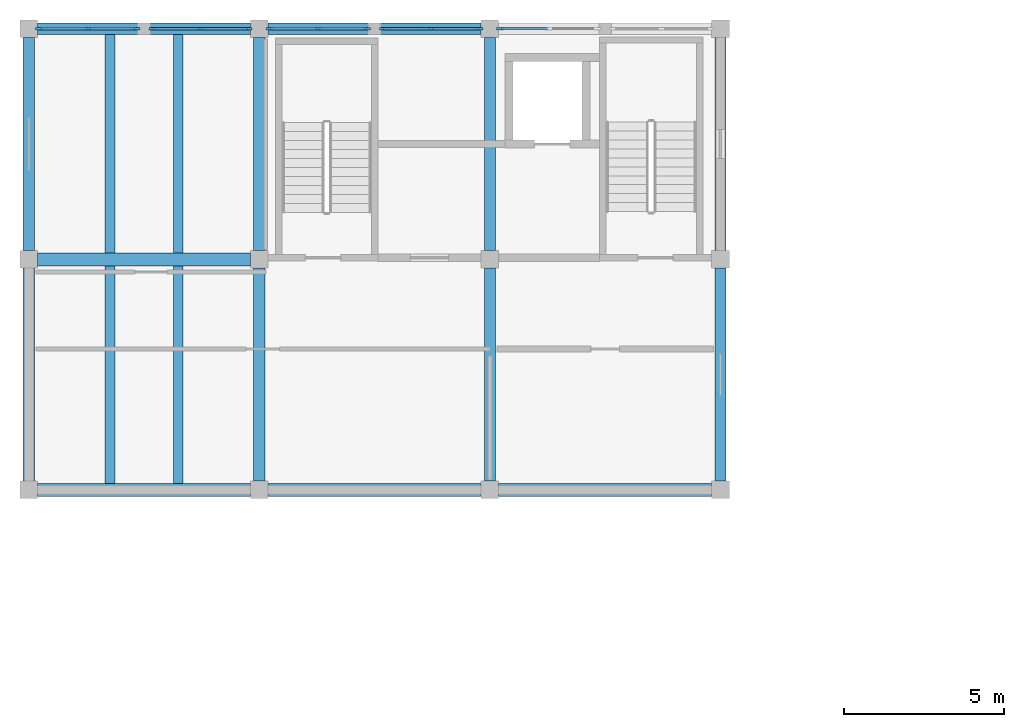
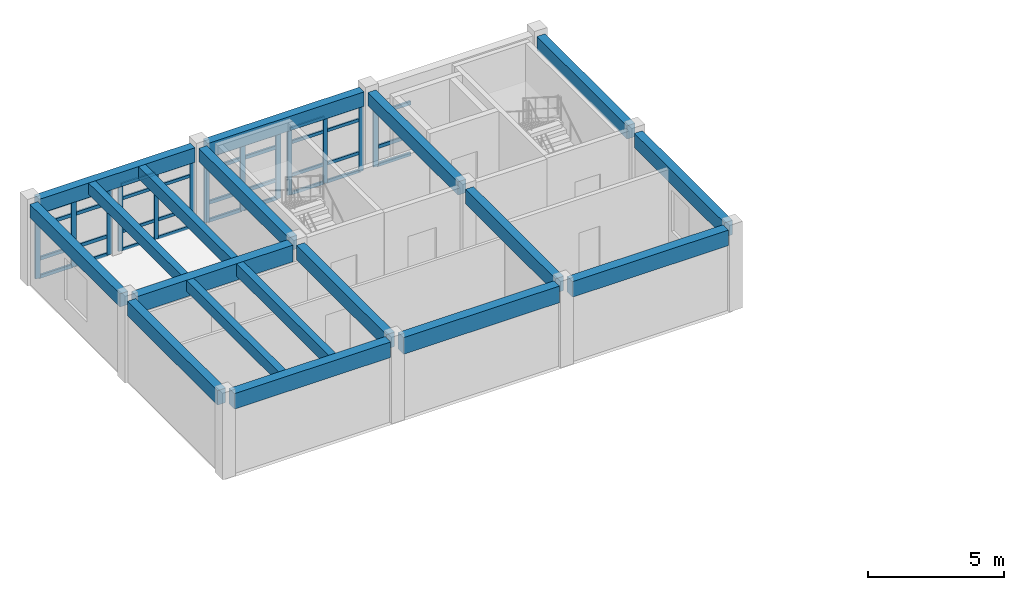
# One storey, part 7 of 22: 48 members, 18 beams, 5 elements without a shape of their own.
"""IFC4 building model written with IfcOpenShell, lengths in metres."""

from ifc_helpers import new_model, si_unit, direction, frame, origin, origin_2d, place, context, subcontext, project, spatial, rectangle, extrude, material, layer, layer_set, material_profile, profile_set, type_object, element, aggregate, save


model = new_model("IFC4")

# Units and contexts
model_context = context("Model", 3, precision=1e-05, world=origin(), true_north=direction((0.0, 1.0)))
body_context = subcontext(model_context, "Body", "Model", "MODEL_VIEW")
ifc_project = project(units=[si_unit("LENGTHUNIT", "METRE"), si_unit("AREAUNIT", "SQUARE_METRE"), si_unit("VOLUMEUNIT", "CUBIC_METRE"), si_unit("PLANEANGLEUNIT", "RADIAN"), si_unit("MASSUNIT", "GRAM", prefix="KILO")], contexts=[model_context])

# Site, building, storey
site_placement = place(None, origin())
site = spatial("IfcSite", under=ifc_project, at=site_placement, CompositionType="ELEMENT")
building_placement = place(site_placement, origin())
building = spatial("IfcBuilding", under=site, at=building_placement, Name="Koriwan Promenade Central Fire Station", CompositionType="ELEMENT")
storey_placement = place(building_placement, frame((0.0, 0.0, 17.39990234375)))
storey = spatial("IfcBuildingStorey", under=building, at=storey_placement, Name="L04", CompositionType="ELEMENT", Elevation=17.39990234375)

# Beams
ifc_material_1 = material(Name="Concrete C35/45", Category="concrete")
ifc_material_profile_1 = material_profile(ifc_material_1, rectangle(XDim=0.300048828125, YDim=0.5, at=origin_2d()), Name="RC-BM-300x500")
ifc_profile_set_1 = profile_set([ifc_material_profile_1], Name="Concrete C35/45")
beam_type_1 = type_object("IfcBeamType", Name="Beam_RC-BM-300x500", PredefinedType="JOIST", material=ifc_profile_set_1)
beam_1_placement = place(storey_placement, frame((81.736083984375, 101.0, 3.400146484375), z_axis=(0.0, 1.0, 0.0), x_axis=(-1.0, 0.0, 0.0)))
element("IfcBeam", 1, at=beam_1_placement, inside=storey, type_object=beam_type_1, Name="V2 L04 secondary joist 193", PredefinedType="JOIST", context=body_context, shape_type="SweptSolid", body=[
    extrude(rectangle(XDim=0.300048828125, YDim=0.5, at=origin_2d()), origin(), (0.0, 0.0, 1.0), 6.800048828125),
])
beam_2_placement = place(storey_placement, frame((81.736083984375, 108.199951171875, 3.400146484375), z_axis=(0.0, 1.0, 0.0), x_axis=(-1.0, 0.0, 0.0)))
element("IfcBeam", 2, at=beam_2_placement, inside=storey, type_object=beam_type_1, Name="V2 L04 secondary joist 195", PredefinedType="JOIST", context=body_context, shape_type="SweptSolid", body=[
    extrude(rectangle(XDim=0.300048828125, YDim=0.5, at=origin_2d()), origin(), (0.0, 0.0, 1.0), 6.824951171875),
])
ifc_material_profile_2 = material_profile(ifc_material_1, rectangle(XDim=0.300048828125, YDim=0.550048828125, at=origin_2d()), Name="RC-BM-300x550")
ifc_profile_set_2 = profile_set([ifc_material_profile_2], Name="Concrete C35/45")
beam_type_2 = type_object("IfcBeamType", Name="Beam_RC-BM-300x550", PredefinedType="JOIST", material=ifc_profile_set_2)
beam_3_placement = place(storey_placement, frame((83.864013671875, 101.0, 3.375), z_axis=(0.0, 1.0, 0.0), x_axis=(-1.0, 0.0, 0.0)))
element("IfcBeam", 3, at=beam_3_placement, inside=storey, type_object=beam_type_2, Name="V2 L04 secondary joist 194", PredefinedType="JOIST", context=body_context, shape_type="SweptSolid", body=[
    extrude(rectangle(XDim=0.300048828125, YDim=0.550048828125, at=origin_2d()), origin(), (0.0, 0.0, 1.0), 6.800048828125),
])
beam_4_placement = place(storey_placement, frame((83.864013671875, 108.199951171875, 3.375), z_axis=(0.0, 1.0, 0.0), x_axis=(-1.0, 0.0, 0.0)))
element("IfcBeam", 4, at=beam_4_placement, inside=storey, type_object=beam_type_2, Name="V2 L04 secondary joist 196", PredefinedType="JOIST", context=body_context, shape_type="SweptSolid", body=[
    extrude(rectangle(XDim=0.300048828125, YDim=0.550048828125, at=origin_2d()), origin(), (0.0, 0.0, 1.0), 6.824951171875),
])
ifc_material_profile_3 = material_profile(ifc_material_1, rectangle(XDim=0.35009765625, YDim=0.60009765625, at=origin_2d()), Name="RC-BM-350x600")
ifc_profile_set_3 = profile_set([ifc_material_profile_3], Name="Concrete C35/45")
beam_type_3 = type_object("IfcBeamType", Name="Beam_RC-BM-350x600", PredefinedType="BEAM", material=ifc_profile_set_3)
for number, where, z_axis, x_axis, name in (
    (5, (79.199951171875, 108.27490234375, 3.35009765625), (0.0, 1.0, 0.0), (-1.0, 0.0, 0.0), "V2 L04 girder Y-186"),
    (6, (86.39990234375, 108.27490234375, 3.35009765625), (0.0, 1.0, 0.0), (-1.0, 0.0, 0.0), "V2 L04 girder Y-188"),
    (7, (93.60009765625, 108.27490234375, 3.35009765625), (0.0, 1.0, 0.0), (-1.0, 0.0, 0.0), "V2 L04 girder Y-190"),
    (8, (100.800048828125, 108.27490234375, 3.35009765625), (0.0, 1.0, 0.0), (-1.0, 0.0, 0.0), "V2 L04 girder Y-192"),
):
    element("IfcBeam", number, at=place(storey_placement, frame(where, z_axis=z_axis, x_axis=x_axis)), inside=storey, type_object=beam_type_3, Name=name, PredefinedType="BEAM", context=body_context, shape_type="SweptSolid", body=[
        extrude(rectangle(XDim=0.35009765625, YDim=0.60009765625, at=origin_2d()), origin(), (0.0, 0.0, 1.0), 6.650146484375),
    ])
ifc_material_profile_4 = material_profile(ifc_material_1, rectangle(XDim=0.35009765625, YDim=0.64990234375, at=origin_2d()), Name="RC-BM-350x650")
ifc_profile_set_4 = profile_set([ifc_material_profile_4], Name="Concrete C35/45")
beam_type_4 = type_object("IfcBeamType", Name="Beam_RC-BM-350x650", PredefinedType="BEAM", material=ifc_profile_set_4)
for number, where, z_axis, x_axis, name in (
    (9, (79.199951171875, 101.074951171875, 3.3251953125), (0.0, 1.0, 0.0), (-1.0, 0.0, 0.0), "V2 L04 girder Y-185"),
    (10, (86.39990234375, 101.074951171875, 3.3251953125), (0.0, 1.0, 0.0), (-1.0, 0.0, 0.0), "V2 L04 girder Y-187"),
    (11, (93.60009765625, 101.074951171875, 3.3251953125), (0.0, 1.0, 0.0), (-1.0, 0.0, 0.0), "V2 L04 girder Y-189"),
    (12, (100.800048828125, 101.074951171875, 3.3251953125), (0.0, 1.0, 0.0), (-1.0, 0.0, 0.0), "V2 L04 girder Y-191"),
):
    element("IfcBeam", number, at=place(storey_placement, frame(where, z_axis=z_axis, x_axis=x_axis)), inside=storey, type_object=beam_type_4, Name=name, PredefinedType="BEAM", context=body_context, shape_type="SweptSolid", body=[
        extrude(rectangle(XDim=0.35009765625, YDim=0.64990234375, at=origin_2d()), origin(), (0.0, 0.0, 1.0), 6.650146484375),
    ])
ifc_material_profile_5 = material_profile(ifc_material_1, rectangle(XDim=0.39990234375, YDim=0.699951171875, at=origin_2d()), Name="RC-BM-400x700")
ifc_profile_set_5 = profile_set([ifc_material_profile_5], Name="Concrete C35/45")
beam_type_5 = type_object("IfcBeamType", Name="Beam_RC-BM-400x700", PredefinedType="BEAM", material=ifc_profile_set_5)
for number, where, z_axis, x_axis, name in (
    (13, (79.47509765625, 100.800048828125, 3.300048828125), (1.0, 0.0, 0.0), (0.0, 1.0, 0.0), "V2 L04 girder X-178"),
    (14, (93.875, 100.800048828125, 3.300048828125), (1.0, 0.0, 0.0), (0.0, 1.0, 0.0), "V2 L04 girder X-180"),
):
    element("IfcBeam", number, at=place(storey_placement, frame(where, z_axis=z_axis, x_axis=x_axis)), inside=storey, type_object=beam_type_5, Name=name, PredefinedType="BEAM", context=body_context, shape_type="SweptSolid", body=[
        extrude(rectangle(XDim=0.39990234375, YDim=0.699951171875, at=origin_2d()), origin(), (0.0, 0.0, 1.0), 6.64990234375),
    ])
ifc_material_profile_6 = material_profile(ifc_material_1, rectangle(XDim=0.39990234375, YDim=0.75, at=origin_2d()), Name="RC-BM-400x750")
ifc_profile_set_6 = profile_set([ifc_material_profile_6], Name="Concrete C35/45")
beam_type_6 = type_object("IfcBeamType", Name="Beam_RC-BM-400x750", PredefinedType="BEAM", material=ifc_profile_set_6)
for number, where, z_axis, x_axis, name in (
    (15, (86.675048828125, 100.800048828125, 3.275146484375), (1.0, 0.0, 0.0), (0.0, 1.0, 0.0), "V2 L04 girder X-179"),
    (16, (79.47509765625, 108.0, 3.275146484375), (1.0, 0.0, 0.0), (0.0, 1.0, 0.0), "V2 L04 girder X-181"),
):
    element("IfcBeam", number, at=place(storey_placement, frame(where, z_axis=z_axis, x_axis=x_axis)), inside=storey, type_object=beam_type_6, Name=name, PredefinedType="BEAM", context=body_context, shape_type="SweptSolid", body=[
        extrude(rectangle(XDim=0.39990234375, YDim=0.75, at=origin_2d()), origin(), (0.0, 0.0, 1.0), 6.64990234375),
    ])
ifc_material_profile_7 = material_profile(ifc_material_1, rectangle(XDim=0.35009765625, YDim=0.64990234375, at=origin_2d()), Name="RC-SP-350x650")
ifc_profile_set_7 = profile_set([ifc_material_profile_7], Name="Concrete C35/45")
beam_type_7 = type_object("IfcBeamType", Name="Beam_RC-SP-350x650", PredefinedType="SPANDREL", material=ifc_profile_set_7)
for number, where, z_axis, x_axis, name in (
    (17, (79.47509765625, 115.199951171875, 3.3251953125), (1.0, 0.0, 0.0), (0.0, 1.0, 0.0), "V2 L04 girder X-182"),
    (18, (86.675048828125, 115.199951171875, 3.3251953125), (1.0, 0.0, 0.0), (0.0, 1.0, 0.0), "V2 L04 girder X-183"),
):
    element("IfcBeam", number, at=place(storey_placement, frame(where, z_axis=z_axis, x_axis=x_axis)), inside=storey, type_object=beam_type_7, Name=name, PredefinedType="SPANDREL", context=body_context, shape_type="SweptSolid", body=[
        extrude(rectangle(XDim=0.35009765625, YDim=0.64990234375, at=origin_2d()), origin(), (0.0, 0.0, 1.0), 6.64990234375),
    ])

# Curtain wall, members
ifc_material_2 = material(Name="Aluminium EN AW-6063-T6 and low-E glazing", Category="aluminium")
ifc_layer_1 = layer(ifc_material_2, 0.159912109375, Name="Aluminium EN AW-6063-T6 and low-E glazing")
ifc_layer_set_1 = layer_set([ifc_layer_1], Name="Aluminium EN AW-6063-T6 and low-E glazing")
curtain_wall_type_1 = type_object("IfcCurtainWallType", Name="CurtainWall_13_312x299", PredefinedType="USERDEFINED", material=ifc_layer_set_1)
curtain_wall_1_placement = place(storey_placement, origin())
curtain_wall_1 = element("IfcCurtainWall", 19, at=curtain_wall_1_placement, inside=storey, type_object=curtain_wall_type_1, Name="V2 L04 unitised curtain wall 041", ObjectType="UNITISED CURTAIN WALL", PredefinedType="USERDEFINED")
ifc_material_3 = material(Name="Aluminium EN AW-6063-T6", Category="aluminium")
ifc_material_profile_8 = material_profile(ifc_material_3, rectangle(XDim=0.074951171875, YDim=0.179931640625, at=origin_2d()), Name="ALU-MUL-75x180")
ifc_profile_set_8 = profile_set([ifc_material_profile_8], Name="Aluminium EN AW-6063-T6")
member_type_1 = type_object("IfcMemberType", Name="CWMullion_ALU-MUL-75x180", PredefinedType="MULLION", material=ifc_profile_set_8)
member_1_placement = place(storey_placement, frame((93.28759765625, 115.199951171875, 0.0), z_axis=(0.0, 0.0, 1.0), x_axis=(0.0, -1.0, 0.0)))
member_1 = element("IfcMember", 20, at=member_1_placement, type_object=member_type_1, Name="CW-13 mullion 1", PredefinedType="MULLION", context=body_context, shape_type="SweptSolid", body=[
    extrude(rectangle(XDim=0.074951171875, YDim=0.179931640625, at=origin_2d()), origin(), (0.0, 0.0, 1.0), 2.989990234375),
])
member_2_placement = place(storey_placement, frame((91.762451171875, 115.199951171875, 0.0), z_axis=(0.0, 0.0, 1.0), x_axis=(0.0, -1.0, 0.0)))
member_2 = element("IfcMember", 21, at=member_2_placement, type_object=member_type_1, Name="CW-13 mullion 2", PredefinedType="MULLION", context=body_context, shape_type="SweptSolid", body=[
    extrude(rectangle(XDim=0.074951171875, YDim=0.179931640625, at=origin_2d()), origin(), (0.0, 0.0, 1.0), 2.989990234375),
])
member_3_placement = place(storey_placement, frame((90.237548828125, 115.199951171875, 0.0), z_axis=(0.0, 0.0, 1.0), x_axis=(0.0, -1.0, 0.0)))
member_3 = element("IfcMember", 22, at=member_3_placement, type_object=member_type_1, Name="CW-13 mullion 3", PredefinedType="MULLION", context=body_context, shape_type="SweptSolid", body=[
    extrude(rectangle(XDim=0.074951171875, YDim=0.179931640625, at=origin_2d()), origin(), (0.0, 0.0, 1.0), 2.989990234375),
])

curtain_wall_2_placement = place(storey_placement, origin())
curtain_wall_2 = element("IfcCurtainWall", 23, at=curtain_wall_2_placement, inside=storey, type_object=curtain_wall_type_1, Name="V2 L04 unitised curtain wall 043", ObjectType="UNITISED CURTAIN WALL", PredefinedType="USERDEFINED")
member_4_placement = place(storey_placement, frame((86.08740234375, 115.199951171875, 0.0), z_axis=(0.0, 0.0, 1.0), x_axis=(0.0, -1.0, 0.0)))
member_4 = element("IfcMember", 24, at=member_4_placement, type_object=member_type_1, Name="CW-13 mullion 1", PredefinedType="MULLION", context=body_context, shape_type="SweptSolid", body=[
    extrude(rectangle(XDim=0.074951171875, YDim=0.179931640625, at=origin_2d()), origin(), (0.0, 0.0, 1.0), 2.989990234375),
])
member_5_placement = place(storey_placement, frame((84.5625, 115.199951171875, 0.0), z_axis=(0.0, 0.0, 1.0), x_axis=(0.0, -1.0, 0.0)))
member_5 = element("IfcMember", 25, at=member_5_placement, type_object=member_type_1, Name="CW-13 mullion 2", PredefinedType="MULLION", context=body_context, shape_type="SweptSolid", body=[
    extrude(rectangle(XDim=0.074951171875, YDim=0.179931640625, at=origin_2d()), origin(), (0.0, 0.0, 1.0), 2.989990234375),
])
member_6_placement = place(storey_placement, frame((83.03759765625, 115.199951171875, 0.0), z_axis=(0.0, 0.0, 1.0), x_axis=(0.0, -1.0, 0.0)))
member_6 = element("IfcMember", 26, at=member_6_placement, type_object=member_type_1, Name="CW-13 mullion 3", PredefinedType="MULLION", context=body_context, shape_type="SweptSolid", body=[
    extrude(rectangle(XDim=0.074951171875, YDim=0.179931640625, at=origin_2d()), origin(), (0.0, 0.0, 1.0), 2.989990234375),
])

# Curtain wall, member
ifc_layer_2 = layer(ifc_material_2, 0.159912109375, Name="Aluminium EN AW-6063-T6 and low-E glazing")
ifc_layer_set_2 = layer_set([ifc_layer_2], Name="Aluminium EN AW-6063-T6 and low-E glazing")
curtain_wall_type_2 = type_object("IfcCurtainWallType", Name="CurtainWall_14_312x299", PredefinedType="USERDEFINED", material=ifc_layer_set_2)
curtain_wall_3_placement = place(storey_placement, origin())
curtain_wall_3 = element("IfcCurtainWall", 27, at=curtain_wall_3_placement, inside=storey, type_object=curtain_wall_type_2, Name="V2 L04 unitised curtain wall 040", ObjectType="UNITISED CURTAIN WALL", PredefinedType="USERDEFINED")
ifc_material_profile_9 = material_profile(ifc_material_3, rectangle(XDim=0.080078125, YDim=0.2099609375, at=origin_2d()), Name="ALU-MUL-80x210")
ifc_profile_set_9 = profile_set([ifc_material_profile_9], Name="Aluminium EN AW-6063-T6")
member_type_2 = type_object("IfcMemberType", Name="CWMullion_ALU-MUL-80x210", PredefinedType="MULLION", material=ifc_profile_set_9)
member_7_placement = place(storey_placement, frame((93.9150390625, 115.199951171875, 0.0), z_axis=(0.0, 0.0, 1.0), x_axis=(0.0, -1.0, 0.0)))
member_7 = element("IfcMember", 28, at=member_7_placement, type_object=member_type_2, Name="CW-14 mullion 3", PredefinedType="MULLION", context=body_context, shape_type="SweptSolid", body=[
    extrude(rectangle(XDim=0.080078125, YDim=0.2099609375, at=origin_2d()), origin(), (0.0, 0.0, 1.0), 2.989990234375),
])

# Curtain wall, members
curtain_wall_4_placement = place(storey_placement, origin())
curtain_wall_4 = element("IfcCurtainWall", 29, at=curtain_wall_4_placement, inside=storey, type_object=curtain_wall_type_2, Name="V2 L04 unitised curtain wall 042", ObjectType="UNITISED CURTAIN WALL", PredefinedType="USERDEFINED")
member_8_placement = place(storey_placement, frame((89.760009765625, 115.199951171875, 0.0), z_axis=(0.0, 0.0, 1.0), x_axis=(0.0, -1.0, 0.0)))
member_8 = element("IfcMember", 30, at=member_8_placement, type_object=member_type_2, Name="CW-14 mullion 1", PredefinedType="MULLION", context=body_context, shape_type="SweptSolid", body=[
    extrude(rectangle(XDim=0.080078125, YDim=0.2099609375, at=origin_2d()), origin(), (0.0, 0.0, 1.0), 2.989990234375),
])
member_9_placement = place(storey_placement, frame((88.237548828125, 115.199951171875, 0.0), z_axis=(0.0, 0.0, 1.0), x_axis=(0.0, -1.0, 0.0)))
member_9 = element("IfcMember", 31, at=member_9_placement, type_object=member_type_2, Name="CW-14 mullion 2", PredefinedType="MULLION", context=body_context, shape_type="SweptSolid", body=[
    extrude(rectangle(XDim=0.080078125, YDim=0.2099609375, at=origin_2d()), origin(), (0.0, 0.0, 1.0), 2.989990234375),
])
member_10_placement = place(storey_placement, frame((86.715087890625, 115.199951171875, 0.0), z_axis=(0.0, 0.0, 1.0), x_axis=(0.0, -1.0, 0.0)))
member_10 = element("IfcMember", 32, at=member_10_placement, type_object=member_type_2, Name="CW-14 mullion 3", PredefinedType="MULLION", context=body_context, shape_type="SweptSolid", body=[
    extrude(rectangle(XDim=0.080078125, YDim=0.2099609375, at=origin_2d()), origin(), (0.0, 0.0, 1.0), 2.989990234375),
])

curtain_wall_5_placement = place(storey_placement, origin())
curtain_wall_5 = element("IfcCurtainWall", 33, at=curtain_wall_5_placement, inside=storey, type_object=curtain_wall_type_2, Name="V2 L04 unitised curtain wall 044", ObjectType="UNITISED CURTAIN WALL", PredefinedType="USERDEFINED")
member_11_placement = place(storey_placement, frame((82.56005859375, 115.199951171875, 0.0), z_axis=(0.0, 0.0, 1.0), x_axis=(0.0, -1.0, 0.0)))
member_11 = element("IfcMember", 34, at=member_11_placement, type_object=member_type_2, Name="CW-14 mullion 1", PredefinedType="MULLION", context=body_context, shape_type="SweptSolid", body=[
    extrude(rectangle(XDim=0.080078125, YDim=0.2099609375, at=origin_2d()), origin(), (0.0, 0.0, 1.0), 2.989990234375),
])
member_12_placement = place(storey_placement, frame((81.03759765625, 115.199951171875, 0.0), z_axis=(0.0, 0.0, 1.0), x_axis=(0.0, -1.0, 0.0)))
member_12 = element("IfcMember", 35, at=member_12_placement, type_object=member_type_2, Name="CW-14 mullion 2", PredefinedType="MULLION", context=body_context, shape_type="SweptSolid", body=[
    extrude(rectangle(XDim=0.080078125, YDim=0.2099609375, at=origin_2d()), origin(), (0.0, 0.0, 1.0), 2.989990234375),
])
member_13_placement = place(storey_placement, frame((79.514892578125, 115.199951171875, 0.0), z_axis=(0.0, 0.0, 1.0), x_axis=(0.0, -1.0, 0.0)))
member_13 = element("IfcMember", 36, at=member_13_placement, type_object=member_type_2, Name="CW-14 mullion 3", PredefinedType="MULLION", context=body_context, shape_type="SweptSolid", body=[
    extrude(rectangle(XDim=0.080078125, YDim=0.2099609375, at=origin_2d()), origin(), (0.0, 0.0, 1.0), 2.989990234375),
])

# Member
ifc_material_profile_10 = material_profile(ifc_material_3, rectangle(XDim=0.074951171875, YDim=0.139892578125, at=origin_2d()), Name="ALU-TRN-75x140")
ifc_profile_set_10 = profile_set([ifc_material_profile_10], Name="Aluminium EN AW-6063-T6")
member_type_3 = type_object("IfcMemberType", Name="CWTransom_ALU-TRN-75x140", PredefinedType="USERDEFINED", material=ifc_profile_set_10)
member_14_placement = place(storey_placement, frame((93.25, 115.199951171875, 0.03759765625), z_axis=(-1.0, 0.0, 0.0), x_axis=(0.0, -1.0, 0.0)))
member_14 = element("IfcMember", 37, at=member_14_placement, type_object=member_type_3, Name="CW-13 transom 1.1", ObjectType="TRANSOM", PredefinedType="USERDEFINED", context=body_context, shape_type="SweptSolid", body=[
    extrude(rectangle(XDim=0.074951171875, YDim=0.139892578125, at=origin_2d()), origin(), (0.0, 0.0, 1.0), 1.449951171875),
])

member_15_placement = place(storey_placement, frame((93.25, 115.199951171875, 0.85009765625), z_axis=(-1.0, 0.0, 0.0), x_axis=(0.0, -1.0, 0.0)))
member_15 = element("IfcMember", 38, at=member_15_placement, type_object=member_type_3, Name="CW-13 transom 1.2", ObjectType="TRANSOM", PredefinedType="USERDEFINED", context=body_context, shape_type="SweptSolid", body=[
    extrude(rectangle(XDim=0.074951171875, YDim=0.139892578125, at=origin_2d()), origin(), (0.0, 0.0, 1.0), 1.449951171875),
])

member_16_placement = place(storey_placement, frame((93.25, 115.199951171875, 2.340087890625), z_axis=(-1.0, 0.0, 0.0), x_axis=(0.0, -1.0, 0.0)))
member_16 = element("IfcMember", 39, at=member_16_placement, type_object=member_type_3, Name="CW-13 transom 1.3", ObjectType="TRANSOM", PredefinedType="USERDEFINED", context=body_context, shape_type="SweptSolid", body=[
    extrude(rectangle(XDim=0.074951171875, YDim=0.139892578125, at=origin_2d()), origin(), (0.0, 0.0, 1.0), 1.449951171875),
])

member_17_placement = place(storey_placement, frame((93.25, 115.199951171875, 2.95263671875), z_axis=(-1.0, 0.0, 0.0), x_axis=(0.0, -1.0, 0.0)))
member_17 = element("IfcMember", 40, at=member_17_placement, type_object=member_type_3, Name="CW-13 transom 1.4", ObjectType="TRANSOM", PredefinedType="USERDEFINED", context=body_context, shape_type="SweptSolid", body=[
    extrude(rectangle(XDim=0.074951171875, YDim=0.139892578125, at=origin_2d()), origin(), (0.0, 0.0, 1.0), 1.449951171875),
])

member_18_placement = place(storey_placement, frame((91.72509765625, 115.199951171875, 0.03759765625), z_axis=(-1.0, 0.0, 0.0), x_axis=(0.0, -1.0, 0.0)))
member_18 = element("IfcMember", 41, at=member_18_placement, type_object=member_type_3, Name="CW-13 transom 2.1", ObjectType="TRANSOM", PredefinedType="USERDEFINED", context=body_context, shape_type="SweptSolid", body=[
    extrude(rectangle(XDim=0.074951171875, YDim=0.139892578125, at=origin_2d()), origin(), (0.0, 0.0, 1.0), 1.4501953125),
])

member_19_placement = place(storey_placement, frame((91.72509765625, 115.199951171875, 0.85009765625), z_axis=(-1.0, 0.0, 0.0), x_axis=(0.0, -1.0, 0.0)))
member_19 = element("IfcMember", 42, at=member_19_placement, type_object=member_type_3, Name="CW-13 transom 2.2", ObjectType="TRANSOM", PredefinedType="USERDEFINED", context=body_context, shape_type="SweptSolid", body=[
    extrude(rectangle(XDim=0.074951171875, YDim=0.139892578125, at=origin_2d()), origin(), (0.0, 0.0, 1.0), 1.4501953125),
])

member_20_placement = place(storey_placement, frame((91.72509765625, 115.199951171875, 2.340087890625), z_axis=(-1.0, 0.0, 0.0), x_axis=(0.0, -1.0, 0.0)))
member_20 = element("IfcMember", 43, at=member_20_placement, type_object=member_type_3, Name="CW-13 transom 2.3", ObjectType="TRANSOM", PredefinedType="USERDEFINED", context=body_context, shape_type="SweptSolid", body=[
    extrude(rectangle(XDim=0.074951171875, YDim=0.139892578125, at=origin_2d()), origin(), (0.0, 0.0, 1.0), 1.4501953125),
])

member_21_placement = place(storey_placement, frame((91.72509765625, 115.199951171875, 2.95263671875), z_axis=(-1.0, 0.0, 0.0), x_axis=(0.0, -1.0, 0.0)))
member_21 = element("IfcMember", 44, at=member_21_placement, type_object=member_type_3, Name="CW-13 transom 2.4", ObjectType="TRANSOM", PredefinedType="USERDEFINED", context=body_context, shape_type="SweptSolid", body=[
    extrude(rectangle(XDim=0.074951171875, YDim=0.139892578125, at=origin_2d()), origin(), (0.0, 0.0, 1.0), 1.4501953125),
])

aggregate(curtain_wall_1, [member_1, member_2, member_3, member_14, member_15, member_16, member_17, member_18, member_19, member_20, member_21])

member_22_placement = place(storey_placement, frame((86.050048828125, 115.199951171875, 0.03759765625), z_axis=(-1.0, 0.0, 0.0), x_axis=(0.0, -1.0, 0.0)))
member_22 = element("IfcMember", 45, at=member_22_placement, type_object=member_type_3, Name="CW-13 transom 1.1", ObjectType="TRANSOM", PredefinedType="USERDEFINED", context=body_context, shape_type="SweptSolid", body=[
    extrude(rectangle(XDim=0.074951171875, YDim=0.139892578125, at=origin_2d()), origin(), (0.0, 0.0, 1.0), 1.449951171875),
])

member_23_placement = place(storey_placement, frame((86.050048828125, 115.199951171875, 0.85009765625), z_axis=(-1.0, 0.0, 0.0), x_axis=(0.0, -1.0, 0.0)))
member_23 = element("IfcMember", 46, at=member_23_placement, type_object=member_type_3, Name="CW-13 transom 1.2", ObjectType="TRANSOM", PredefinedType="USERDEFINED", context=body_context, shape_type="SweptSolid", body=[
    extrude(rectangle(XDim=0.074951171875, YDim=0.139892578125, at=origin_2d()), origin(), (0.0, 0.0, 1.0), 1.449951171875),
])

member_24_placement = place(storey_placement, frame((86.050048828125, 115.199951171875, 2.340087890625), z_axis=(-1.0, 0.0, 0.0), x_axis=(0.0, -1.0, 0.0)))
member_24 = element("IfcMember", 47, at=member_24_placement, type_object=member_type_3, Name="CW-13 transom 1.3", ObjectType="TRANSOM", PredefinedType="USERDEFINED", context=body_context, shape_type="SweptSolid", body=[
    extrude(rectangle(XDim=0.074951171875, YDim=0.139892578125, at=origin_2d()), origin(), (0.0, 0.0, 1.0), 1.449951171875),
])

member_25_placement = place(storey_placement, frame((86.050048828125, 115.199951171875, 2.95263671875), z_axis=(-1.0, 0.0, 0.0), x_axis=(0.0, -1.0, 0.0)))
member_25 = element("IfcMember", 48, at=member_25_placement, type_object=member_type_3, Name="CW-13 transom 1.4", ObjectType="TRANSOM", PredefinedType="USERDEFINED", context=body_context, shape_type="SweptSolid", body=[
    extrude(rectangle(XDim=0.074951171875, YDim=0.139892578125, at=origin_2d()), origin(), (0.0, 0.0, 1.0), 1.449951171875),
])

member_26_placement = place(storey_placement, frame((84.52490234375, 115.199951171875, 0.03759765625), z_axis=(-1.0, 0.0, 0.0), x_axis=(0.0, -1.0, 0.0)))
member_26 = element("IfcMember", 49, at=member_26_placement, type_object=member_type_3, Name="CW-13 transom 2.1", ObjectType="TRANSOM", PredefinedType="USERDEFINED", context=body_context, shape_type="SweptSolid", body=[
    extrude(rectangle(XDim=0.074951171875, YDim=0.139892578125, at=origin_2d()), origin(), (0.0, 0.0, 1.0), 1.449951171875),
])

member_27_placement = place(storey_placement, frame((84.52490234375, 115.199951171875, 0.85009765625), z_axis=(-1.0, 0.0, 0.0), x_axis=(0.0, -1.0, 0.0)))
member_27 = element("IfcMember", 50, at=member_27_placement, type_object=member_type_3, Name="CW-13 transom 2.2", ObjectType="TRANSOM", PredefinedType="USERDEFINED", context=body_context, shape_type="SweptSolid", body=[
    extrude(rectangle(XDim=0.074951171875, YDim=0.139892578125, at=origin_2d()), origin(), (0.0, 0.0, 1.0), 1.449951171875),
])

member_28_placement = place(storey_placement, frame((84.52490234375, 115.199951171875, 2.340087890625), z_axis=(-1.0, 0.0, 0.0), x_axis=(0.0, -1.0, 0.0)))
member_28 = element("IfcMember", 51, at=member_28_placement, type_object=member_type_3, Name="CW-13 transom 2.3", ObjectType="TRANSOM", PredefinedType="USERDEFINED", context=body_context, shape_type="SweptSolid", body=[
    extrude(rectangle(XDim=0.074951171875, YDim=0.139892578125, at=origin_2d()), origin(), (0.0, 0.0, 1.0), 1.449951171875),
])

member_29_placement = place(storey_placement, frame((84.52490234375, 115.199951171875, 2.95263671875), z_axis=(-1.0, 0.0, 0.0), x_axis=(0.0, -1.0, 0.0)))
member_29 = element("IfcMember", 52, at=member_29_placement, type_object=member_type_3, Name="CW-13 transom 2.4", ObjectType="TRANSOM", PredefinedType="USERDEFINED", context=body_context, shape_type="SweptSolid", body=[
    extrude(rectangle(XDim=0.074951171875, YDim=0.139892578125, at=origin_2d()), origin(), (0.0, 0.0, 1.0), 1.449951171875),
])

aggregate(curtain_wall_2, [member_4, member_5, member_6, member_22, member_23, member_24, member_25, member_26, member_27, member_28, member_29])

ifc_material_profile_11 = material_profile(ifc_material_3, rectangle(XDim=0.080078125, YDim=0.155029296875, at=origin_2d()), Name="ALU-TRN-80x155")
ifc_profile_set_11 = profile_set([ifc_material_profile_11], Name="Aluminium EN AW-6063-T6")
member_type_4 = type_object("IfcMemberType", Name="CWTransom_ALU-TRN-80x155", PredefinedType="USERDEFINED", material=ifc_profile_set_11)
member_30_placement = place(storey_placement, frame((95.3974609375, 115.199951171875, 0.0400390625), z_axis=(-1.0, 0.0, 0.0), x_axis=(0.0, -1.0, 0.0)))
member_30 = element("IfcMember", 53, at=member_30_placement, type_object=member_type_4, Name="CW-14 transom 2.1", ObjectType="TRANSOM", PredefinedType="USERDEFINED", context=body_context, shape_type="SweptSolid", body=[
    extrude(rectangle(XDim=0.080078125, YDim=0.155029296875, at=origin_2d()), origin(), (0.0, 0.0, 1.0), 1.4423828125),
])

member_31_placement = place(storey_placement, frame((95.3974609375, 115.199951171875, 0.85009765625), z_axis=(-1.0, 0.0, 0.0), x_axis=(0.0, -1.0, 0.0)))
member_31 = element("IfcMember", 54, at=member_31_placement, type_object=member_type_4, Name="CW-14 transom 2.2", ObjectType="TRANSOM", PredefinedType="USERDEFINED", context=body_context, shape_type="SweptSolid", body=[
    extrude(rectangle(XDim=0.080078125, YDim=0.155029296875, at=origin_2d()), origin(), (0.0, 0.0, 1.0), 1.4423828125),
])

member_32_placement = place(storey_placement, frame((95.3974609375, 115.199951171875, 2.340087890625), z_axis=(-1.0, 0.0, 0.0), x_axis=(0.0, -1.0, 0.0)))
member_32 = element("IfcMember", 55, at=member_32_placement, type_object=member_type_4, Name="CW-14 transom 2.3", ObjectType="TRANSOM", PredefinedType="USERDEFINED", context=body_context, shape_type="SweptSolid", body=[
    extrude(rectangle(XDim=0.080078125, YDim=0.155029296875, at=origin_2d()), origin(), (0.0, 0.0, 1.0), 1.4423828125),
])

aggregate(curtain_wall_3, [member_7, member_30, member_31, member_32])

member_33_placement = place(storey_placement, frame((89.719970703125, 115.199951171875, 0.0400390625), z_axis=(-1.0, 0.0, 0.0), x_axis=(0.0, -1.0, 0.0)))
member_33 = element("IfcMember", 56, at=member_33_placement, type_object=member_type_4, Name="CW-14 transom 1.1", ObjectType="TRANSOM", PredefinedType="USERDEFINED", context=body_context, shape_type="SweptSolid", body=[
    extrude(rectangle(XDim=0.080078125, YDim=0.155029296875, at=origin_2d()), origin(), (0.0, 0.0, 1.0), 1.4423828125),
])

member_34_placement = place(storey_placement, frame((89.719970703125, 115.199951171875, 0.85009765625), z_axis=(-1.0, 0.0, 0.0), x_axis=(0.0, -1.0, 0.0)))
member_34 = element("IfcMember", 57, at=member_34_placement, type_object=member_type_4, Name="CW-14 transom 1.2", ObjectType="TRANSOM", PredefinedType="USERDEFINED", context=body_context, shape_type="SweptSolid", body=[
    extrude(rectangle(XDim=0.080078125, YDim=0.155029296875, at=origin_2d()), origin(), (0.0, 0.0, 1.0), 1.4423828125),
])

member_35_placement = place(storey_placement, frame((89.719970703125, 115.199951171875, 2.340087890625), z_axis=(-1.0, 0.0, 0.0), x_axis=(0.0, -1.0, 0.0)))
member_35 = element("IfcMember", 58, at=member_35_placement, type_object=member_type_4, Name="CW-14 transom 1.3", ObjectType="TRANSOM", PredefinedType="USERDEFINED", context=body_context, shape_type="SweptSolid", body=[
    extrude(rectangle(XDim=0.080078125, YDim=0.155029296875, at=origin_2d()), origin(), (0.0, 0.0, 1.0), 1.4423828125),
])

member_36_placement = place(storey_placement, frame((89.719970703125, 115.199951171875, 2.9501953125), z_axis=(-1.0, 0.0, 0.0), x_axis=(0.0, -1.0, 0.0)))
member_36 = element("IfcMember", 59, at=member_36_placement, type_object=member_type_4, Name="CW-14 transom 1.4", ObjectType="TRANSOM", PredefinedType="USERDEFINED", context=body_context, shape_type="SweptSolid", body=[
    extrude(rectangle(XDim=0.080078125, YDim=0.155029296875, at=origin_2d()), origin(), (0.0, 0.0, 1.0), 1.4423828125),
])

member_37_placement = place(storey_placement, frame((88.197509765625, 115.199951171875, 0.0400390625), z_axis=(-1.0, 0.0, 0.0), x_axis=(0.0, -1.0, 0.0)))
member_37 = element("IfcMember", 60, at=member_37_placement, type_object=member_type_4, Name="CW-14 transom 2.1", ObjectType="TRANSOM", PredefinedType="USERDEFINED", context=body_context, shape_type="SweptSolid", body=[
    extrude(rectangle(XDim=0.080078125, YDim=0.155029296875, at=origin_2d()), origin(), (0.0, 0.0, 1.0), 1.442626953125),
])

member_38_placement = place(storey_placement, frame((88.197509765625, 115.199951171875, 0.85009765625), z_axis=(-1.0, 0.0, 0.0), x_axis=(0.0, -1.0, 0.0)))
member_38 = element("IfcMember", 61, at=member_38_placement, type_object=member_type_4, Name="CW-14 transom 2.2", ObjectType="TRANSOM", PredefinedType="USERDEFINED", context=body_context, shape_type="SweptSolid", body=[
    extrude(rectangle(XDim=0.080078125, YDim=0.155029296875, at=origin_2d()), origin(), (0.0, 0.0, 1.0), 1.442626953125),
])

member_39_placement = place(storey_placement, frame((88.197509765625, 115.199951171875, 2.340087890625), z_axis=(-1.0, 0.0, 0.0), x_axis=(0.0, -1.0, 0.0)))
member_39 = element("IfcMember", 62, at=member_39_placement, type_object=member_type_4, Name="CW-14 transom 2.3", ObjectType="TRANSOM", PredefinedType="USERDEFINED", context=body_context, shape_type="SweptSolid", body=[
    extrude(rectangle(XDim=0.080078125, YDim=0.155029296875, at=origin_2d()), origin(), (0.0, 0.0, 1.0), 1.442626953125),
])

member_40_placement = place(storey_placement, frame((88.197509765625, 115.199951171875, 2.9501953125), z_axis=(-1.0, 0.0, 0.0), x_axis=(0.0, -1.0, 0.0)))
member_40 = element("IfcMember", 63, at=member_40_placement, type_object=member_type_4, Name="CW-14 transom 2.4", ObjectType="TRANSOM", PredefinedType="USERDEFINED", context=body_context, shape_type="SweptSolid", body=[
    extrude(rectangle(XDim=0.080078125, YDim=0.155029296875, at=origin_2d()), origin(), (0.0, 0.0, 1.0), 1.442626953125),
])

aggregate(curtain_wall_4, [member_8, member_9, member_10, member_33, member_34, member_35, member_36, member_37, member_38, member_39, member_40])

member_41_placement = place(storey_placement, frame((82.52001953125, 115.199951171875, 0.0400390625), z_axis=(-1.0, 0.0, 0.0), x_axis=(0.0, -1.0, 0.0)))
member_41 = element("IfcMember", 64, at=member_41_placement, type_object=member_type_4, Name="CW-14 transom 1.1", ObjectType="TRANSOM", PredefinedType="USERDEFINED", context=body_context, shape_type="SweptSolid", body=[
    extrude(rectangle(XDim=0.080078125, YDim=0.155029296875, at=origin_2d()), origin(), (0.0, 0.0, 1.0), 1.442626953125),
])

member_42_placement = place(storey_placement, frame((82.52001953125, 115.199951171875, 0.85009765625), z_axis=(-1.0, 0.0, 0.0), x_axis=(0.0, -1.0, 0.0)))
member_42 = element("IfcMember", 65, at=member_42_placement, type_object=member_type_4, Name="CW-14 transom 1.2", ObjectType="TRANSOM", PredefinedType="USERDEFINED", context=body_context, shape_type="SweptSolid", body=[
    extrude(rectangle(XDim=0.080078125, YDim=0.155029296875, at=origin_2d()), origin(), (0.0, 0.0, 1.0), 1.442626953125),
])

member_43_placement = place(storey_placement, frame((82.52001953125, 115.199951171875, 2.340087890625), z_axis=(-1.0, 0.0, 0.0), x_axis=(0.0, -1.0, 0.0)))
member_43 = element("IfcMember", 66, at=member_43_placement, type_object=member_type_4, Name="CW-14 transom 1.3", ObjectType="TRANSOM", PredefinedType="USERDEFINED", context=body_context, shape_type="SweptSolid", body=[
    extrude(rectangle(XDim=0.080078125, YDim=0.155029296875, at=origin_2d()), origin(), (0.0, 0.0, 1.0), 1.442626953125),
])

member_44_placement = place(storey_placement, frame((82.52001953125, 115.199951171875, 2.9501953125), z_axis=(-1.0, 0.0, 0.0), x_axis=(0.0, -1.0, 0.0)))
member_44 = element("IfcMember", 67, at=member_44_placement, type_object=member_type_4, Name="CW-14 transom 1.4", ObjectType="TRANSOM", PredefinedType="USERDEFINED", context=body_context, shape_type="SweptSolid", body=[
    extrude(rectangle(XDim=0.080078125, YDim=0.155029296875, at=origin_2d()), origin(), (0.0, 0.0, 1.0), 1.442626953125),
])

member_45_placement = place(storey_placement, frame((80.99755859375, 115.199951171875, 0.0400390625), z_axis=(-1.0, 0.0, 0.0), x_axis=(0.0, -1.0, 0.0)))
member_45 = element("IfcMember", 68, at=member_45_placement, type_object=member_type_4, Name="CW-14 transom 2.1", ObjectType="TRANSOM", PredefinedType="USERDEFINED", context=body_context, shape_type="SweptSolid", body=[
    extrude(rectangle(XDim=0.080078125, YDim=0.155029296875, at=origin_2d()), origin(), (0.0, 0.0, 1.0), 1.442626953125),
])

member_46_placement = place(storey_placement, frame((80.99755859375, 115.199951171875, 0.85009765625), z_axis=(-1.0, 0.0, 0.0), x_axis=(0.0, -1.0, 0.0)))
member_46 = element("IfcMember", 69, at=member_46_placement, type_object=member_type_4, Name="CW-14 transom 2.2", ObjectType="TRANSOM", PredefinedType="USERDEFINED", context=body_context, shape_type="SweptSolid", body=[
    extrude(rectangle(XDim=0.080078125, YDim=0.155029296875, at=origin_2d()), origin(), (0.0, 0.0, 1.0), 1.442626953125),
])

member_47_placement = place(storey_placement, frame((80.99755859375, 115.199951171875, 2.340087890625), z_axis=(-1.0, 0.0, 0.0), x_axis=(0.0, -1.0, 0.0)))
member_47 = element("IfcMember", 70, at=member_47_placement, type_object=member_type_4, Name="CW-14 transom 2.3", ObjectType="TRANSOM", PredefinedType="USERDEFINED", context=body_context, shape_type="SweptSolid", body=[
    extrude(rectangle(XDim=0.080078125, YDim=0.155029296875, at=origin_2d()), origin(), (0.0, 0.0, 1.0), 1.442626953125),
])

member_48_placement = place(storey_placement, frame((80.99755859375, 115.199951171875, 2.9501953125), z_axis=(-1.0, 0.0, 0.0), x_axis=(0.0, -1.0, 0.0)))
member_48 = element("IfcMember", 71, at=member_48_placement, type_object=member_type_4, Name="CW-14 transom 2.4", ObjectType="TRANSOM", PredefinedType="USERDEFINED", context=body_context, shape_type="SweptSolid", body=[
    extrude(rectangle(XDim=0.080078125, YDim=0.155029296875, at=origin_2d()), origin(), (0.0, 0.0, 1.0), 1.442626953125),
])

aggregate(curtain_wall_5, [member_11, member_12, member_13, member_41, member_42, member_43, member_44, member_45, member_46, member_47, member_48])

save(model, "model.ifc")
